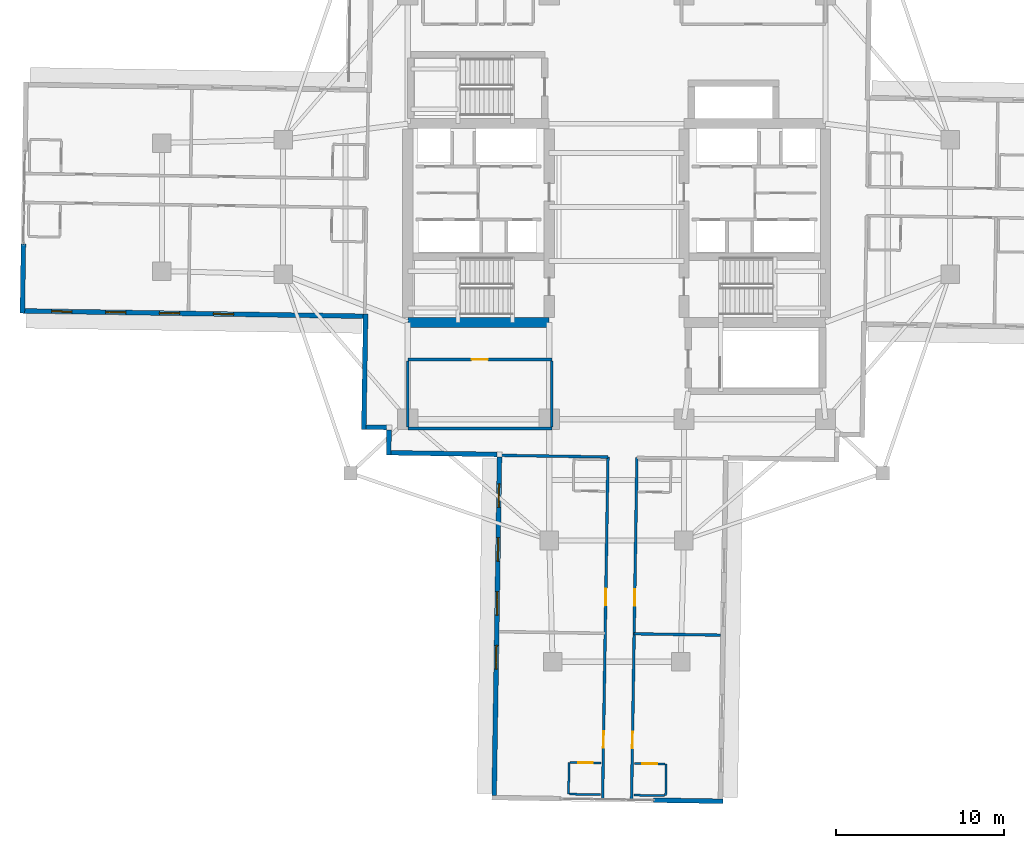
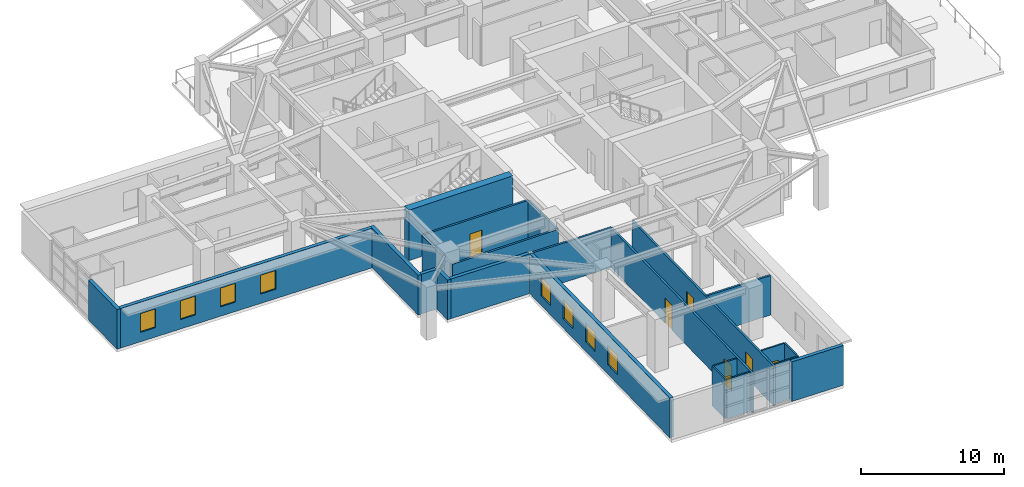
# One storey, part 11 of 22: 23 walls, 8 windows, 7 doors, 15 openings.
"""IFC4 building model written with IfcOpenShell, lengths in metres."""

from ifc_helpers import new_model, si_unit, direction, frame, frame_2d, origin, place, context, subcontext, project, spatial, rectangle, extrude, material, layer, layer_set, type_object, element, fill, save


model = new_model("IFC4")

# Units and contexts
model_context = context("Model", 3, precision=1e-05, world=origin(), true_north=direction((0.0, 1.0)))
body_context = subcontext(model_context, "Body", "Model", "MODEL_VIEW")
ifc_project = project(units=[si_unit("LENGTHUNIT", "METRE"), si_unit("AREAUNIT", "SQUARE_METRE"), si_unit("VOLUMEUNIT", "CUBIC_METRE"), si_unit("PLANEANGLEUNIT", "RADIAN"), si_unit("MASSUNIT", "GRAM", prefix="KILO")], contexts=[model_context])

# Site, building, storey
site_placement = place(None, origin())
site = spatial("IfcSite", under=ifc_project, at=site_placement, CompositionType="ELEMENT")
building_placement = place(site_placement, origin())
building = spatial("IfcBuilding", under=site, at=building_placement, Name="Qingluan Cross Belvedere", CompositionType="ELEMENT")
storey_placement = place(building_placement, frame((0.0, 0.0, 100.199951171875)))
storey = spatial("IfcBuildingStorey", under=building, at=storey_placement, Name="L25", CompositionType="ELEMENT", Elevation=100.199951171875)

# Walls
ifc_material_1 = material(Name="Concrete C60", Category="concrete")
ifc_layer_1 = layer(ifc_material_1, 0.60009765625, Name="CoreShearWall_600")
ifc_layer_set_1 = layer_set([ifc_layer_1], Name="Concrete C60")
wall_type_1 = type_object("IfcWallType", Name="CoreShearWall_600", PredefinedType="SHEAR", material=ifc_layer_set_1)
wall_1_placement = place(storey_placement, frame((-12.39990234375, -6.85009765625, 0.0), z_axis=(0.0, 0.0, 1.0), x_axis=(1.0, 0.0, 0.0)))
element("IfcWall", 1, at=wall_1_placement, inside=storey, type_object=wall_type_1, Name="Split core W shear wall L25-S", PredefinedType="SHEAR", context=body_context, shape_type="SweptSolid", body=[
    extrude(rectangle(XDim=8.39990234375, YDim=0.60009765625, at=frame_2d((4.199951171875, 0.0))), origin(), (0.0, 0.0, 1.0), 4.300048828125),
])
ifc_material_2 = material(Name="Gypsum plasterboard on steel stud acoustic partition", Category="steel")
ifc_layer_2 = layer(ifc_material_2, 0.159912109375, Name="CorridorPartition_160")
ifc_layer_set_2 = layer_set([ifc_layer_2], Name="Gypsum plasterboard on steel stud acoustic partition")
wall_type_2 = type_object("IfcWallType", Name="CorridorPartition_160", PredefinedType="PARTITIONING", material=ifc_layer_set_2)
wall_2_placement = place(storey_placement, frame((-12.39990234375, -13.14990234375, 0.0), z_axis=(0.0, 0.0, 1.0), x_axis=(1.0, 0.0, 0.0)))
element("IfcWall", 2, at=wall_2_placement, inside=storey, type_object=wall_type_2, Name="Partition L25:sky_meeting:S", PredefinedType="PARTITIONING", context=body_context, shape_type="SweptSolid", body=[
    extrude(rectangle(XDim=8.5498046875, YDim=0.159912109375, at=frame_2d((4.27490234375, 0.0))), origin(), (0.0, 0.0, 1.0), 3.3701171875),
])

# Wall, opening, door
wall_3_placement = place(storey_placement, frame((-12.39990234375, -9.050048828125, 0.0), z_axis=(0.0, 0.0, 1.0), x_axis=(1.0, 0.0, 0.0)))
wall_3 = element("IfcWall", 3, at=wall_3_placement, inside=storey, type_object=wall_type_2, Name="Partition L25:sky_meeting:N", PredefinedType="PARTITIONING", context=body_context, shape_type="SweptSolid", body=[
    extrude(rectangle(XDim=8.5498046875, YDim=0.159912109375, at=frame_2d((4.27490234375, 0.0))), origin(), (0.0, 0.0, 1.0), 3.3701171875),
])
opening_1_placement = place(wall_3_placement, frame((3.794921875, 0.0, 0.0)))
opening_1 = element("IfcOpeningElement", 4, at=opening_1_placement, cuts=wall_3, Name="Opening GD-10", PredefinedType="OPENING", context=body_context, shape_type="SweptSolid", body=[
    extrude(rectangle(XDim=0.9599609375, YDim=2.14990234375, at=frame_2d((0.47998046875, 1.074951171875))), frame((0.0, 0.08984375, 0.0), z_axis=(0.0, -1.0, 0.0), x_axis=(1.0, 0.0, 0.0)), (0.0, 0.0, 1.0), 0.179931640625),
])
ifc_material_3 = material(Name="Timber oak fire-rated acoustic guestroom door", Category="wood")
door_type_1 = type_object("IfcDoorType", Name="GuestEntryDoor_FD60", OperationType="NOTDEFINED", PredefinedType="DOOR", material=ifc_material_3)
door_1_placement = place(opening_1_placement, origin())
door_1 = element("IfcDoor", 5, at=door_1_placement, inside=storey, type_object=door_type_1, Name="Executive sky boardroom L25 door", OperationType="SINGLE_SWING_RIGHT", OverallHeight=2.14990234375, OverallWidth=0.9599609375, PredefinedType="DOOR", context=body_context, shape_type="SweptSolid", body=[
    extrude(rectangle(XDim=0.9599609375, YDim=2.14990234375, at=frame_2d((0.47998046875, 1.074951171875))), frame((0.0, 0.02490234375, 0.0), z_axis=(0.0, -1.0, 0.0), x_axis=(1.0, 0.0, 0.0)), (0.0, 0.0, 1.0), 0.050048828125),
])
fill(opening_1, door_1)

# Walls
for number, where, z_axis, x_axis, name in (
    (6, (-12.39990234375, -13.06494140625, 0.0), (0.0, 0.0, 1.0), (0.0, 1.0, 0.0), "Partition L25:sky_meeting:W"),
    (7, (-3.85009765625, -13.06494140625, 0.0), (0.0, 0.0, 1.0), (0.0, 1.0, 0.0), "Partition L25:sky_meeting:E"),
):
    element("IfcWall", number, at=place(storey_placement, frame(where, z_axis=z_axis, x_axis=x_axis)), inside=storey, type_object=wall_type_2, Name=name, PredefinedType="PARTITIONING", context=body_context, shape_type="SweptSolid", body=[
        extrude(rectangle(XDim=3.929931640625, YDim=0.159912109375, at=frame_2d((1.96484375, 0.0))), origin(), (0.0, 0.0, 1.0), 3.3701171875),
    ])

# Wall, openings, doors
wall_4_placement = place(storey_placement, frame((1.20654296875, -14.870849609375, 0.0), z_axis=(0.0, 0.0, 1.0), x_axis=(-0.015707697811, -0.999876626504, 0.0)))
wall_4 = element("IfcWall", 8, at=wall_4_placement, inside=storey, type_object=wall_type_2, Name="Partition L25:S:c0", PredefinedType="PARTITIONING", context=body_context, shape_type="SweptSolid", body=[
    extrude(rectangle(XDim=20.329833984375, YDim=0.159912109375, at=frame_2d((10.1650390625, 0.0))), origin(), (0.0, 0.0, 1.0), 3.3701171875),
])
opening_2_placement = place(wall_4_placement, frame((7.8359375, 0.0, 0.0)))
opening_2 = element("IfcOpeningElement", 9, at=opening_2_placement, cuts=wall_4, Name="Opening GD-10", PredefinedType="OPENING", context=body_context, shape_type="SweptSolid", body=[
    extrude(rectangle(XDim=0.9599609375, YDim=2.14990234375, at=frame_2d((0.47998046875, 1.074951171875))), frame((0.0, 0.08984375, 0.0), z_axis=(0.0, -1.0, 0.0), x_axis=(1.0, 0.0, 0.0)), (0.0, 0.0, 1.0), 0.179931640625),
])
opening_3_placement = place(wall_4_placement, frame((16.2958984375, 0.0, 0.0)))
opening_3 = element("IfcOpeningElement", 10, at=opening_3_placement, cuts=wall_4, Name="Opening GD-10", PredefinedType="OPENING", context=body_context, shape_type="SweptSolid", body=[
    extrude(rectangle(XDim=0.9599609375, YDim=2.14990234375, at=frame_2d((0.47998046875, 1.074951171875))), frame((0.0, 0.08984375, 0.0), z_axis=(0.0, -1.0, 0.0), x_axis=(1.0, 0.0, 0.0)), (0.0, 0.0, 1.0), 0.179931640625),
])
door_2_placement = place(opening_2_placement, origin())
door_2 = element("IfcDoor", 11, at=door_2_placement, inside=storey, type_object=door_type_1, Name="Guest entry fire door 2513", OperationType="SINGLE_SWING_LEFT", OverallHeight=2.14990234375, OverallWidth=0.9599609375, PredefinedType="DOOR", context=body_context, shape_type="SweptSolid", body=[
    extrude(rectangle(XDim=0.9599609375, YDim=2.14990234375, at=frame_2d((0.47998046875, 1.074951171875))), frame((0.0, 0.02490234375, 0.0), z_axis=(0.0, -1.0, 0.0), x_axis=(1.0, 0.0, 0.0)), (0.0, 0.0, 1.0), 0.050048828125),
])
fill(opening_2, door_2)
door_3_placement = place(opening_3_placement, origin())
door_3 = element("IfcDoor", 12, at=door_3_placement, inside=storey, type_object=door_type_1, Name="Guest entry fire door 2514", OperationType="SINGLE_SWING_LEFT", OverallHeight=2.14990234375, OverallWidth=0.9599609375, PredefinedType="DOOR", context=body_context, shape_type="SweptSolid", body=[
    extrude(rectangle(XDim=0.9599609375, YDim=2.14990234375, at=frame_2d((0.47998046875, 1.074951171875))), frame((0.0, 0.02490234375, 0.0), z_axis=(0.0, -1.0, 0.0), x_axis=(1.0, 0.0, 0.0)), (0.0, 0.0, 1.0), 0.050048828125),
])
fill(opening_3, door_3)

# Wall
wall_5_placement = place(storey_placement, frame((1.0419921875, -25.339599609375, 0.0), z_axis=(0.0, 0.0, 1.0), x_axis=(0.99987677651, -0.01569814626, 0.0)))
element("IfcWall", 13, at=wall_5_placement, inside=storey, type_object=wall_type_2, Name="Partition L25:S:d0_0", PredefinedType="PARTITIONING", context=body_context, shape_type="SweptSolid", body=[
    extrude(rectangle(XDim=5.13232421875, YDim=0.159912109375, at=frame_2d((2.566162109375, 0.0))), origin(), (0.0, 0.0, 1.0), 3.3701171875),
])

# Wall, openings, doors
wall_6_placement = place(storey_placement, frame((-0.51318359375, -14.84375, 0.0), z_axis=(0.0, 0.0, 1.0), x_axis=(-0.015707509204, -0.999876629467, 0.0)))
wall_6 = element("IfcWall", 14, at=wall_6_placement, inside=storey, type_object=wall_type_2, Name="Partition L25:S:c1", PredefinedType="PARTITIONING", context=body_context, shape_type="SweptSolid", body=[
    extrude(rectangle(XDim=20.330078125, YDim=0.159912109375, at=frame_2d((10.1650390625, 0.0))), origin(), (0.0, 0.0, 1.0), 3.3701171875),
])
opening_4_placement = place(wall_6_placement, frame((7.8359375, 0.0, 0.0)))
opening_4 = element("IfcOpeningElement", 15, at=opening_4_placement, cuts=wall_6, Name="Opening GD-10", PredefinedType="OPENING", context=body_context, shape_type="SweptSolid", body=[
    extrude(rectangle(XDim=0.9599609375, YDim=2.14990234375, at=frame_2d((0.47998046875, 1.074951171875))), frame((0.0, 0.08984375, 0.0), z_axis=(0.0, -1.0, 0.0), x_axis=(1.0, 0.0, 0.0)), (0.0, 0.0, 1.0), 0.179931640625),
])
opening_5_placement = place(wall_6_placement, frame((16.2958984375, 0.0, 0.0)))
opening_5 = element("IfcOpeningElement", 16, at=opening_5_placement, cuts=wall_6, Name="Opening GD-10", PredefinedType="OPENING", context=body_context, shape_type="SweptSolid", body=[
    extrude(rectangle(XDim=0.9599609375, YDim=2.14990234375, at=frame_2d((0.47998046875, 1.074951171875))), frame((0.0, 0.08984375, 0.0), z_axis=(0.0, -1.0, 0.0), x_axis=(1.0, 0.0, 0.0)), (0.0, 0.0, 1.0), 0.179931640625),
])
door_4_placement = place(opening_4_placement, origin())
door_4 = element("IfcDoor", 17, at=door_4_placement, inside=storey, type_object=door_type_1, Name="Guest entry fire door 2515", OperationType="SINGLE_SWING_LEFT", OverallHeight=2.14990234375, OverallWidth=0.9599609375, PredefinedType="DOOR", context=body_context, shape_type="SweptSolid", body=[
    extrude(rectangle(XDim=0.9599609375, YDim=2.14990234375, at=frame_2d((0.47998046875, 1.074951171875))), frame((0.0, 0.02490234375, 0.0), z_axis=(0.0, -1.0, 0.0), x_axis=(1.0, 0.0, 0.0)), (0.0, 0.0, 1.0), 0.050048828125),
])
fill(opening_4, door_4)
door_5_placement = place(opening_5_placement, origin())
door_5 = element("IfcDoor", 18, at=door_5_placement, inside=storey, type_object=door_type_1, Name="Guest entry fire door 2516", OperationType="SINGLE_SWING_LEFT", OverallHeight=2.14990234375, OverallWidth=0.9599609375, PredefinedType="DOOR", context=body_context, shape_type="SweptSolid", body=[
    extrude(rectangle(XDim=0.9599609375, YDim=2.14990234375, at=frame_2d((0.47998046875, 1.074951171875))), frame((0.0, 0.02490234375, 0.0), z_axis=(0.0, -1.0, 0.0), x_axis=(1.0, 0.0, 0.0)), (0.0, 0.0, 1.0), 0.050048828125),
])
fill(opening_5, door_5)

# Wall
wall_7_placement = place(storey_placement, frame((-0.51318359375, -14.84375, 0.0), z_axis=(0.0, 0.0, 1.0), x_axis=(-0.99987682984, 0.015694749102, 0.0)))
element("IfcWall", 19, at=wall_7_placement, inside=storey, type_object=wall_type_2, Name="Partition L25:S:s1", PredefinedType="PARTITIONING", context=body_context, shape_type="SweptSolid", body=[
    extrude(rectangle(XDim=6.43994140625, YDim=0.159912109375, at=frame_2d((3.219970703125, 0.0))), origin(), (0.0, 0.0, 1.0), 3.3701171875),
])

# Wall, opening, door
ifc_material_4 = material(Name="Moisture-resistant gypsum board lining")
ifc_layer_3 = layer(ifc_material_4, 0.1201171875, Name="EnsuiteWetPartition_120")
ifc_layer_set_3 = layer_set([ifc_layer_3], Name="Moisture-resistant gypsum board lining")
wall_type_3 = type_object("IfcWallType", Name="EnsuiteWetPartition_120", PredefinedType="PARTITIONING", material=ifc_layer_set_3)
wall_8_placement = place(storey_placement, frame((1.06103515625, -33.040771484375, 0.0), z_axis=(0.0, 0.0, 1.0), x_axis=(0.999876836305, -0.015694337248, 0.0)))
wall_8 = element("IfcWall", 20, at=wall_8_placement, inside=storey, type_object=wall_type_3, Name="Partition L25:S:bs0_1", PredefinedType="PARTITIONING", context=body_context, shape_type="SweptSolid", body=[
    extrude(rectangle(XDim=1.820068359375, YDim=0.1201171875, at=frame_2d((0.91015625, 0.0))), origin(), (0.0, 0.0, 1.0), 3.3701171875),
])
opening_6_placement = place(wall_8_placement, frame((0.469970703125, 0.0, 0.0)))
opening_6 = element("IfcOpeningElement", 21, at=opening_6_placement, cuts=wall_8, Name="Opening BD-09", PredefinedType="OPENING", context=body_context, shape_type="SweptSolid", body=[
    extrude(rectangle(XDim=0.8798828125, YDim=2.10009765625, at=frame_2d((0.43994140625, 1.050048828125))), frame((0.0, 0.070068359375, 0.0), z_axis=(0.0, -1.0, 0.0), x_axis=(1.0, 0.0, 0.0)), (0.0, 0.0, 1.0), 0.14013671875),
])
ifc_material_5 = material(Name="Moisture-sealed timber en-suite door", Category="wood")
door_type_2 = type_object("IfcDoorType", Name="BathroomDoor_880", OperationType="NOTDEFINED", PredefinedType="DOOR", material=ifc_material_5)
door_6_placement = place(opening_6_placement, origin())
door_6 = element("IfcDoor", 22, at=door_6_placement, inside=storey, type_object=door_type_2, Name="Bathroom door 2514", OperationType="SINGLE_SWING_RIGHT", OverallHeight=2.10009765625, OverallWidth=0.8798828125, PredefinedType="DOOR", context=body_context, shape_type="SweptSolid", body=[
    extrude(rectangle(XDim=0.8798828125, YDim=2.10009765625, at=frame_2d((0.43994140625, 1.050048828125))), frame((0.0, 0.02490234375, 0.0), z_axis=(0.0, -1.0, 0.0), x_axis=(1.0, 0.0, 0.0)), (0.0, 0.0, 1.0), 0.050048828125),
])
fill(opening_6, door_6)

# Walls
wall_9_placement = place(storey_placement, frame((1.031494140625, -34.92041015625, 0.0), z_axis=(0.0, 0.0, 1.0), x_axis=(0.999874722342, -0.015828443418, 0.0)))
element("IfcWall", 23, at=wall_9_placement, inside=storey, type_object=wall_type_3, Name="Partition L25:S:bw0_1", PredefinedType="PARTITIONING", context=body_context, shape_type="SweptSolid", body=[
    extrude(rectangle(XDim=1.820068359375, YDim=0.1201171875, at=frame_2d((0.91015625, 0.0))), origin(), (0.0, 0.0, 1.0), 3.3701171875),
])
wall_10_placement = place(storey_placement, frame((2.94580078125, -33.0703125, 0.0), z_axis=(0.0, 0.0, 1.0), x_axis=(-0.015582523404, -0.999878585111, 0.0)))
element("IfcWall", 24, at=wall_10_placement, inside=storey, type_object=wall_type_3, Name="Partition L25:S:bn0_1", PredefinedType="PARTITIONING", context=body_context, shape_type="SweptSolid", body=[
    extrude(rectangle(XDim=1.880126953125, YDim=0.1201171875, at=frame_2d((0.93994140625, 0.0))), origin(), (0.0, 0.0, 1.0), 3.3701171875),
])

# Wall, opening, door
wall_11_placement = place(storey_placement, frame((-2.75830078125, -32.980712890625, 0.0), z_axis=(0.0, 0.0, 1.0), x_axis=(0.999876803258, -0.015696442504, 0.0)))
wall_11 = element("IfcWall", 25, at=wall_11_placement, inside=storey, type_object=wall_type_3, Name="Partition L25:S:bs1_1", PredefinedType="PARTITIONING", context=body_context, shape_type="SweptSolid", body=[
    extrude(rectangle(XDim=1.81982421875, YDim=0.1201171875, at=frame_2d((0.909912109375, 0.0))), origin(), (0.0, 0.0, 1.0), 3.3701171875),
])
opening_7_placement = place(wall_11_placement, frame((0.469970703125, 0.0, 0.0)))
opening_7 = element("IfcOpeningElement", 26, at=opening_7_placement, cuts=wall_11, Name="Opening BD-09", PredefinedType="OPENING", context=body_context, shape_type="SweptSolid", body=[
    extrude(rectangle(XDim=0.8798828125, YDim=2.10009765625, at=frame_2d((0.43994140625, 1.050048828125))), frame((0.0, 0.070068359375, 0.0), z_axis=(0.0, -1.0, 0.0), x_axis=(1.0, 0.0, 0.0)), (0.0, 0.0, 1.0), 0.14013671875),
])
door_7_placement = place(opening_7_placement, origin())
door_7 = element("IfcDoor", 27, at=door_7_placement, inside=storey, type_object=door_type_2, Name="Bathroom door 2516", OperationType="SINGLE_SWING_RIGHT", OverallHeight=2.10009765625, OverallWidth=0.8798828125, PredefinedType="DOOR", context=body_context, shape_type="SweptSolid", body=[
    extrude(rectangle(XDim=0.8798828125, YDim=2.10009765625, at=frame_2d((0.43994140625, 1.050048828125))), frame((0.0, 0.02490234375, 0.0), z_axis=(0.0, -1.0, 0.0), x_axis=(1.0, 0.0, 0.0)), (0.0, 0.0, 1.0), 0.050048828125),
])
fill(opening_7, door_7)

# Walls
wall_12_placement = place(storey_placement, frame((-2.787841796875, -34.860595703125, 0.0), z_axis=(0.0, 0.0, 1.0), x_axis=(0.999876836305, -0.015694337248, 0.0)))
element("IfcWall", 28, at=wall_12_placement, inside=storey, type_object=wall_type_3, Name="Partition L25:S:bw1_1", PredefinedType="PARTITIONING", context=body_context, shape_type="SweptSolid", body=[
    extrude(rectangle(XDim=1.820068359375, YDim=0.1201171875, at=frame_2d((0.91015625, 0.0))), origin(), (0.0, 0.0, 1.0), 3.3701171875),
])
wall_13_placement = place(storey_placement, frame((-2.823486328125, -32.979736328125, 0.0), z_axis=(0.0, 0.0, 1.0), x_axis=(-0.015582523404, -0.999878585111, 0.0)))
element("IfcWall", 29, at=wall_13_placement, inside=storey, type_object=wall_type_3, Name="Partition L25:S:bc1_1", PredefinedType="PARTITIONING", context=body_context, shape_type="SweptSolid", body=[
    extrude(rectangle(XDim=1.880126953125, YDim=0.1201171875, at=frame_2d((0.93994140625, 0.0))), origin(), (0.0, 0.0, 1.0), 3.3701171875),
])

# Wall, openings, windows
ifc_material_6 = material(Name="Precast concrete C45", Category="concrete")
ifc_layer_4 = layer(ifc_material_6, 0.280029296875, Name="PrecastFacadeWall_280")
ifc_layer_set_4 = layer_set([ifc_layer_4], Name="Precast concrete C45")
wall_type_4 = type_object("IfcWallType", Name="PrecastFacadeWall_280", PredefinedType="STANDARD", material=ifc_layer_set_4)
wall_14_placement = place(storey_placement, frame((-35.14111328125, -6.168701171875, 0.0), z_axis=(0.0, 0.0, 1.0), x_axis=(0.999876474133, -0.01571739401, 0.0)))
wall_14 = element("IfcWall", 30, at=wall_14_placement, inside=storey, type_object=wall_type_4, Name="Facade wall L25-WB", PredefinedType="STANDARD", context=body_context, shape_type="SweptSolid", body=[
    extrude(rectangle(XDim=20.099853515625, YDim=0.280029296875, at=frame_2d((10.0498046875, 0.0))), origin(), (0.0, 0.0, 1.0), 3.380126953125),
])
opening_8_placement = place(wall_14_placement, frame((1.60009765625, 0.0, 0.800048828125)))
opening_8 = element("IfcOpeningElement", 31, at=opening_8_placement, cuts=wall_14, Name="Opening W-02", PredefinedType="OPENING", context=body_context, shape_type="SweptSolid", body=[
    extrude(rectangle(XDim=1.199951171875, YDim=1.60009765625, at=frame_2d((0.60009765625, 0.800048828125))), frame((0.0, 0.14990234375, 0.0), z_axis=(0.0, -1.0, 0.0), x_axis=(1.0, 0.0, 0.0)), (0.0, 0.0, 1.0), 0.300048828125),
])
opening_9_placement = place(wall_14_placement, frame((4.800048828125, 0.0, 0.800048828125)))
opening_9 = element("IfcOpeningElement", 32, at=opening_9_placement, cuts=wall_14, Name="Opening W-02", PredefinedType="OPENING", context=body_context, shape_type="SweptSolid", body=[
    extrude(rectangle(XDim=1.199951171875, YDim=1.60009765625, at=frame_2d((0.60009765625, 0.800048828125))), frame((0.0, 0.14990234375, 0.0), z_axis=(0.0, -1.0, 0.0), x_axis=(1.0, 0.0, 0.0)), (0.0, 0.0, 1.0), 0.300048828125),
])
opening_10_placement = place(wall_14_placement, frame((8.0, 0.0, 0.800048828125)))
opening_10 = element("IfcOpeningElement", 33, at=opening_10_placement, cuts=wall_14, Name="Opening W-02", PredefinedType="OPENING", context=body_context, shape_type="SweptSolid", body=[
    extrude(rectangle(XDim=1.199951171875, YDim=1.60009765625, at=frame_2d((0.60009765625, 0.800048828125))), frame((0.0, 0.14990234375, 0.0), z_axis=(0.0, -1.0, 0.0), x_axis=(1.0, 0.0, 0.0)), (0.0, 0.0, 1.0), 0.300048828125),
])
opening_11_placement = place(wall_14_placement, frame((11.199951171875, 0.0, 0.800048828125)))
opening_11 = element("IfcOpeningElement", 34, at=opening_11_placement, cuts=wall_14, Name="Opening W-02", PredefinedType="OPENING", context=body_context, shape_type="SweptSolid", body=[
    extrude(rectangle(XDim=1.199951171875, YDim=1.60009765625, at=frame_2d((0.60009765625, 0.800048828125))), frame((0.0, 0.14990234375, 0.0), z_axis=(0.0, -1.0, 0.0), x_axis=(1.0, 0.0, 0.0)), (0.0, 0.0, 1.0), 0.300048828125),
])
ifc_material_7 = material(Name="Thermally broken triple Low-E glass in aluminium frame", Category="aluminium")
window_type_1 = type_object("IfcWindowType", Name="TriRibbonWin_1200x1600", PartitioningType="SINGLE_PANEL", PredefinedType="WINDOW", material=ifc_material_7)
window_1_placement = place(opening_8_placement, origin())
window_1 = element("IfcWindow", 35, at=window_1_placement, inside=storey, type_object=window_type_1, Name="Ribbon window L25-WB-1", OverallHeight=1.60009765625, OverallWidth=1.199951171875, PartitioningType="SINGLE_PANEL", PredefinedType="WINDOW", context=body_context, shape_type="SweptSolid", body=[
    extrude(rectangle(XDim=1.199951171875, YDim=1.60009765625, at=frame_2d((0.60009765625, 0.800048828125))), frame((0.0, 0.030029296875, 0.0), z_axis=(0.0, -1.0, 0.0), x_axis=(1.0, 0.0, 0.0)), (0.0, 0.0, 1.0), 0.06005859375),
])
fill(opening_8, window_1)
window_2_placement = place(opening_9_placement, origin())
window_2 = element("IfcWindow", 36, at=window_2_placement, inside=storey, type_object=window_type_1, Name="Ribbon window L25-WB-2", OverallHeight=1.60009765625, OverallWidth=1.199951171875, PartitioningType="SINGLE_PANEL", PredefinedType="WINDOW", context=body_context, shape_type="SweptSolid", body=[
    extrude(rectangle(XDim=1.199951171875, YDim=1.60009765625, at=frame_2d((0.60009765625, 0.800048828125))), frame((0.0, 0.030029296875, 0.0), z_axis=(0.0, -1.0, 0.0), x_axis=(1.0, 0.0, 0.0)), (0.0, 0.0, 1.0), 0.06005859375),
])
fill(opening_9, window_2)
window_3_placement = place(opening_10_placement, origin())
window_3 = element("IfcWindow", 37, at=window_3_placement, inside=storey, type_object=window_type_1, Name="Ribbon window L25-WB-3", OverallHeight=1.60009765625, OverallWidth=1.199951171875, PartitioningType="SINGLE_PANEL", PredefinedType="WINDOW", context=body_context, shape_type="SweptSolid", body=[
    extrude(rectangle(XDim=1.199951171875, YDim=1.60009765625, at=frame_2d((0.60009765625, 0.800048828125))), frame((0.0, 0.030029296875, 0.0), z_axis=(0.0, -1.0, 0.0), x_axis=(1.0, 0.0, 0.0)), (0.0, 0.0, 1.0), 0.06005859375),
])
fill(opening_10, window_3)
window_4_placement = place(opening_11_placement, origin())
window_4 = element("IfcWindow", 38, at=window_4_placement, inside=storey, type_object=window_type_1, Name="Ribbon window L25-WB-4", OverallHeight=1.60009765625, OverallWidth=1.199951171875, PartitioningType="SINGLE_PANEL", PredefinedType="WINDOW", context=body_context, shape_type="SweptSolid", body=[
    extrude(rectangle(XDim=1.199951171875, YDim=1.60009765625, at=frame_2d((0.60009765625, 0.800048828125))), frame((0.0, 0.030029296875, 0.0), z_axis=(0.0, -1.0, 0.0), x_axis=(1.0, 0.0, 0.0)), (0.0, 0.0, 1.0), 0.06005859375),
])
fill(opening_11, window_4)

# Wall
wall_15_placement = place(storey_placement, frame((-35.21875, -2.191162109375, 0.0), z_axis=(0.0, 0.0, 1.0), x_axis=(-0.015718530042, -0.999876456275, 0.0)))
element("IfcWall", 39, at=wall_15_placement, inside=storey, type_object=wall_type_4, Name="Terrace portal jamb wall L25-W2", PredefinedType="STANDARD", context=body_context, shape_type="SweptSolid", body=[
    extrude(rectangle(XDim=4.115966796875, YDim=0.280029296875, at=frame_2d((2.05810546875, 0.0))), origin(), (0.0, 0.0, 1.0), 3.380126953125),
])

# Wall, openings, windows
wall_16_placement = place(storey_placement, frame((-6.953857421875, -14.83251953125, 0.0), z_axis=(0.0, 0.0, 1.0), x_axis=(-0.015705059908, -0.999876667941, 0.0)))
wall_16 = element("IfcWall", 40, at=wall_16_placement, inside=storey, type_object=wall_type_4, Name="Facade wall L25-SA", PredefinedType="STANDARD", context=body_context, shape_type="SweptSolid", body=[
    extrude(rectangle(XDim=20.10009765625, YDim=0.280029296875, at=frame_2d((10.050048828125, 0.0))), origin(), (0.0, 0.0, 1.0), 3.380126953125),
])
opening_12_placement = place(wall_16_placement, frame((1.60009765625, 0.0, 0.800048828125)))
opening_12 = element("IfcOpeningElement", 41, at=opening_12_placement, cuts=wall_16, Name="Opening W-01", PredefinedType="OPENING", context=body_context, shape_type="SweptSolid", body=[
    extrude(rectangle(XDim=1.39990234375, YDim=1.60009765625, at=frame_2d((0.699951171875, 0.800048828125))), frame((0.0, 0.14990234375, 0.0), z_axis=(0.0, -1.0, 0.0), x_axis=(1.0, 0.0, 0.0)), (0.0, 0.0, 1.0), 0.300048828125),
])
opening_13_placement = place(wall_16_placement, frame((4.800048828125, 0.0, 0.800048828125)))
opening_13 = element("IfcOpeningElement", 42, at=opening_13_placement, cuts=wall_16, Name="Opening W-01", PredefinedType="OPENING", context=body_context, shape_type="SweptSolid", body=[
    extrude(rectangle(XDim=1.39990234375, YDim=1.60009765625, at=frame_2d((0.699951171875, 0.800048828125))), frame((0.0, 0.14990234375, 0.0), z_axis=(0.0, -1.0, 0.0), x_axis=(1.0, 0.0, 0.0)), (0.0, 0.0, 1.0), 0.300048828125),
])
opening_14_placement = place(wall_16_placement, frame((8.0, 0.0, 0.800048828125)))
opening_14 = element("IfcOpeningElement", 43, at=opening_14_placement, cuts=wall_16, Name="Opening W-01", PredefinedType="OPENING", context=body_context, shape_type="SweptSolid", body=[
    extrude(rectangle(XDim=1.39990234375, YDim=1.60009765625, at=frame_2d((0.699951171875, 0.800048828125))), frame((0.0, 0.14990234375, 0.0), z_axis=(0.0, -1.0, 0.0), x_axis=(1.0, 0.0, 0.0)), (0.0, 0.0, 1.0), 0.300048828125),
])
opening_15_placement = place(wall_16_placement, frame((11.199951171875, 0.0, 0.800048828125)))
opening_15 = element("IfcOpeningElement", 44, at=opening_15_placement, cuts=wall_16, Name="Opening W-01", PredefinedType="OPENING", context=body_context, shape_type="SweptSolid", body=[
    extrude(rectangle(XDim=1.39990234375, YDim=1.60009765625, at=frame_2d((0.699951171875, 0.800048828125))), frame((0.0, 0.14990234375, 0.0), z_axis=(0.0, -1.0, 0.0), x_axis=(1.0, 0.0, 0.0)), (0.0, 0.0, 1.0), 0.300048828125),
])
ifc_material_8 = material(Name="Thermally broken triple Low-E glass in aluminium frame", Category="aluminium")
window_type_2 = type_object("IfcWindowType", Name="TriRibbonWin_1400x1600", PartitioningType="SINGLE_PANEL", PredefinedType="WINDOW", material=ifc_material_8)
window_5_placement = place(opening_12_placement, origin())
window_5 = element("IfcWindow", 45, at=window_5_placement, inside=storey, type_object=window_type_2, Name="Ribbon window L25-SA-1", OverallHeight=1.60009765625, OverallWidth=1.39990234375, PartitioningType="SINGLE_PANEL", PredefinedType="WINDOW", context=body_context, shape_type="SweptSolid", body=[
    extrude(rectangle(XDim=1.39990234375, YDim=1.60009765625, at=frame_2d((0.699951171875, 0.800048828125))), frame((0.0, 0.030029296875, 0.0), z_axis=(0.0, -1.0, 0.0), x_axis=(1.0, 0.0, 0.0)), (0.0, 0.0, 1.0), 0.06005859375),
])
fill(opening_12, window_5)
window_6_placement = place(opening_13_placement, origin())
window_6 = element("IfcWindow", 46, at=window_6_placement, inside=storey, type_object=window_type_2, Name="Ribbon window L25-SA-2", OverallHeight=1.60009765625, OverallWidth=1.39990234375, PartitioningType="SINGLE_PANEL", PredefinedType="WINDOW", context=body_context, shape_type="SweptSolid", body=[
    extrude(rectangle(XDim=1.39990234375, YDim=1.60009765625, at=frame_2d((0.699951171875, 0.800048828125))), frame((0.0, 0.030029296875, 0.0), z_axis=(0.0, -1.0, 0.0), x_axis=(1.0, 0.0, 0.0)), (0.0, 0.0, 1.0), 0.06005859375),
])
fill(opening_13, window_6)
window_7_placement = place(opening_14_placement, origin())
window_7 = element("IfcWindow", 47, at=window_7_placement, inside=storey, type_object=window_type_2, Name="Ribbon window L25-SA-3", OverallHeight=1.60009765625, OverallWidth=1.39990234375, PartitioningType="SINGLE_PANEL", PredefinedType="WINDOW", context=body_context, shape_type="SweptSolid", body=[
    extrude(rectangle(XDim=1.39990234375, YDim=1.60009765625, at=frame_2d((0.699951171875, 0.800048828125))), frame((0.0, 0.030029296875, 0.0), z_axis=(0.0, -1.0, 0.0), x_axis=(1.0, 0.0, 0.0)), (0.0, 0.0, 1.0), 0.06005859375),
])
fill(opening_14, window_7)
window_8_placement = place(opening_15_placement, origin())
window_8 = element("IfcWindow", 48, at=window_8_placement, inside=storey, type_object=window_type_2, Name="Ribbon window L25-SA-4", OverallHeight=1.60009765625, OverallWidth=1.39990234375, PartitioningType="SINGLE_PANEL", PredefinedType="WINDOW", context=body_context, shape_type="SweptSolid", body=[
    extrude(rectangle(XDim=1.39990234375, YDim=1.60009765625, at=frame_2d((0.699951171875, 0.800048828125))), frame((0.0, 0.030029296875, 0.0), z_axis=(0.0, -1.0, 0.0), x_axis=(1.0, 0.0, 0.0)), (0.0, 0.0, 1.0), 0.06005859375),
])
fill(opening_15, window_8)

# Walls
wall_17_placement = place(storey_placement, frame((2.191162109375, -35.21875, 0.0), z_axis=(0.0, 0.0, 1.0), x_axis=(0.999876456275, -0.015718530042, 0.0)))
element("IfcWall", 49, at=wall_17_placement, inside=storey, type_object=wall_type_4, Name="Terrace portal jamb wall L25-S2", PredefinedType="STANDARD", context=body_context, shape_type="SweptSolid", body=[
    extrude(rectangle(XDim=4.115966796875, YDim=0.280029296875, at=frame_2d((2.05810546875, 0.0))), origin(), (0.0, 0.0, 1.0), 3.380126953125),
])
wall_18_placement = place(storey_placement, frame((-14.901611328125, -6.3466796875, 0.0), z_axis=(0.0, 0.0, 1.0), x_axis=(-0.015694809807, -0.999876828887, 0.0)))
element("IfcWall", 50, at=wall_18_placement, inside=storey, type_object=wall_type_4, Name="Corner wall L25-SW1", PredefinedType="STANDARD", context=body_context, shape_type="SweptSolid", body=[
    extrude(rectangle(XDim=6.85986328125, YDim=0.280029296875, at=frame_2d((3.429931640625, 0.0))), origin(), (0.0, 0.0, 1.0), 3.380126953125),
])
wall_19_placement = place(storey_placement, frame((-14.8671875, -13.068115234375, 0.0), z_axis=(0.0, 0.0, 1.0), x_axis=(0.999875053502, -0.015807510352, 0.0)))
element("IfcWall", 51, at=wall_19_placement, inside=storey, type_object=wall_type_4, Name="Corner wall L25-SW2", PredefinedType="STANDARD", context=body_context, shape_type="SweptSolid", body=[
    extrude(rectangle(XDim=1.22021484375, YDim=0.280029296875, at=frame_2d((0.610107421875, 0.0))), origin(), (0.0, 0.0, 1.0), 3.380126953125),
])
wall_20_placement = place(storey_placement, frame((-13.509521484375, -13.2294921875, 0.0), z_axis=(0.0, 0.0, 1.0), x_axis=(-0.015625635615, -0.999877912303, 0.0)))
element("IfcWall", 52, at=wall_20_placement, inside=storey, type_object=wall_type_4, Name="Corner wall L25-SW3", PredefinedType="STANDARD", context=body_context, shape_type="SweptSolid", body=[
    extrude(rectangle(XDim=1.5, YDim=0.280029296875, at=frame_2d((0.75, 0.0))), origin(), (0.0, 0.0, 1.0), 3.380126953125),
])
wall_21_placement = place(storey_placement, frame((-13.390869140625, -14.591552734375, 0.0), z_axis=(0.0, 0.0, 1.0), x_axis=(0.999876833368, -0.015694524359, 0.0)))
element("IfcWall", 53, at=wall_21_placement, inside=storey, type_object=wall_type_4, Name="Corner wall L25-SW4", PredefinedType="STANDARD", context=body_context, shape_type="SweptSolid", body=[
    extrude(rectangle(XDim=6.300048828125, YDim=0.280029296875, at=frame_2d((3.14990234375, 0.0))), origin(), (0.0, 0.0, 1.0), 3.380126953125),
])

save(model, "model.ifc")
